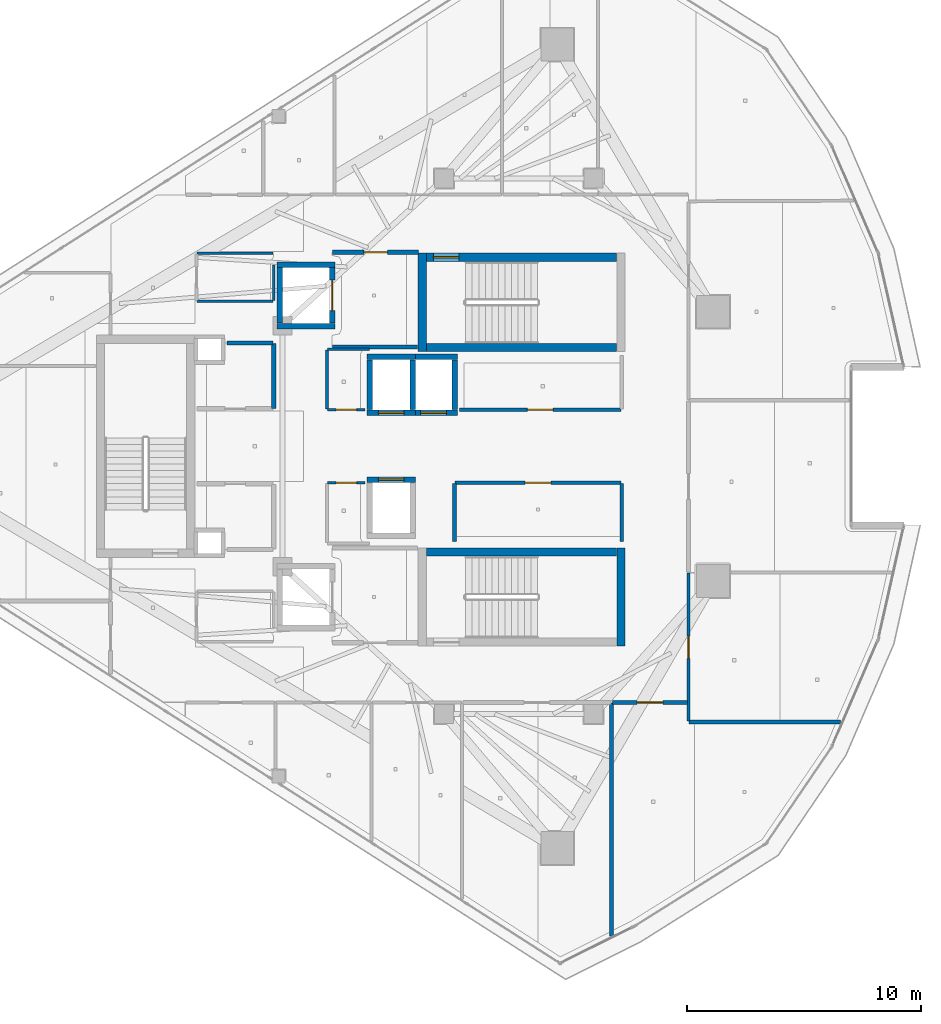
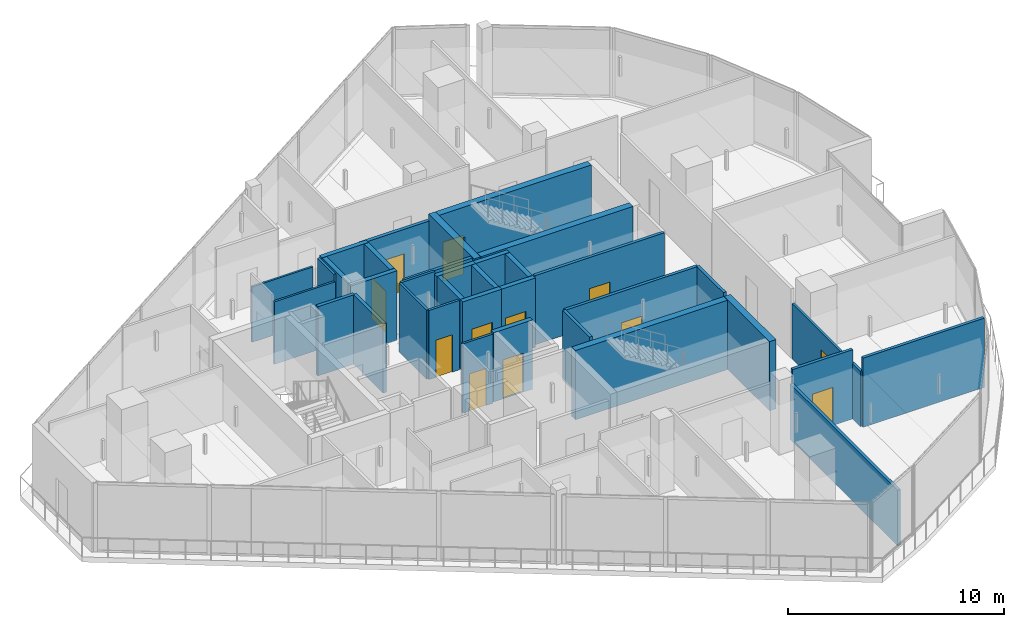
# One storey, part 17 of 25: 36 walls, 12 doors, 12 openings.
"""IFC4 building model written with IfcOpenShell, lengths in metres."""

from ifc_helpers import new_model, si_unit, direction, frame, frame_2d, origin, place, context, subcontext, project, spatial, rectangle, extrude, material, layer, layer_set, type_object, element, fill, save


model = new_model("IFC4")

# Units and contexts
model_context = context("Model", 3, precision=1e-05, world=origin(), true_north=direction((0.0, 1.0)))
body_context = subcontext(model_context, "Body", "Model", "MODEL_VIEW")
ifc_project = project(units=[si_unit("LENGTHUNIT", "METRE"), si_unit("AREAUNIT", "SQUARE_METRE"), si_unit("VOLUMEUNIT", "CUBIC_METRE"), si_unit("PLANEANGLEUNIT", "RADIAN"), si_unit("MASSUNIT", "GRAM", prefix="KILO")], contexts=[model_context])

# Site, building, storey
site_placement = place(None, origin())
site = spatial("IfcSite", under=ifc_project, at=site_placement, CompositionType="ELEMENT")
building_placement = place(site_placement, origin())
building = spatial("IfcBuilding", under=site, at=building_placement, Name="Qorvath Tower", CompositionType="ELEMENT")
storey_placement = place(building_placement, frame((0.0, 0.0, 306.0)))
storey = spatial("IfcBuildingStorey", under=building, at=storey_placement, Name="L71", CompositionType="ELEMENT", Elevation=306.0)

# Wall
ifc_material_1 = material(Name="Gypsum shaftliner on steel studs", Category="steel")
ifc_layer_1 = layer(ifc_material_1, 0.179931640625)
ifc_layer_set_1 = layer_set([ifc_layer_1], Name="FW-LOBBY")
wall_type_1 = type_object("IfcWallType", Name="FW-LOBBY", PredefinedType="PARTITIONING", material=ifc_layer_set_1)
wall_1_placement = place(storey_placement, frame((-28.35498046875, 4.25, 0.0), z_axis=(0.0, 0.0, 1.0), x_axis=(1.0, 0.0, 0.0)))
element("IfcWall", 1, at=wall_1_placement, inside=storey, type_object=wall_type_1, Name="Interior Partition IW-T1-L71-001", PredefinedType="PARTITIONING", context=body_context, shape_type="SweptSolid", body=[
    extrude(rectangle(XDim=3.6220703125, YDim=0.179931640625, at=frame_2d((1.81103515625, 0.0))), origin(), (0.0, 0.0, 1.0), 3.909912109375),
])

# Wall, opening, door
wall_2_placement = place(storey_placement, frame((-24.68408203125, 8.300048828125, 0.0), z_axis=(0.0, 0.0, 1.0), x_axis=(-1.0, 0.0, 0.0)))
wall_2 = element("IfcWall", 2, at=wall_2_placement, inside=storey, type_object=wall_type_1, Name="Interior Partition IW-T1-L71-002", PredefinedType="PARTITIONING", context=body_context, shape_type="SweptSolid", body=[
    extrude(rectangle(XDim=3.6708984375, YDim=0.179931640625, at=frame_2d((1.83544921875, 0.0))), origin(), (0.0, 0.0, 1.0), 3.52880859375),
])
opening_1_placement = place(wall_2_placement, frame((1.33544921875, 0.0, 0.0)))
opening_1 = element("IfcOpeningElement", 3, at=opening_1_placement, cuts=wall_2, Name="Opening D-T1-L71-22", PredefinedType="OPENING", context=body_context, shape_type="SweptSolid", body=[
    extrude(rectangle(XDim=1.0, YDim=2.14990234375, at=frame_2d((0.5, 1.074951171875))), frame((0.0, 0.10009765625, 0.0), z_axis=(0.0, -1.0, 0.0), x_axis=(1.0, 0.0, 0.0)), (0.0, 0.0, 1.0), 0.199951171875),
])
ifc_material_2 = material(Name="Painted galvanised hollow metal", Category="steel")
door_type_1 = type_object("IfcDoorType", Name="FD-60", OperationType="NOTDEFINED", PredefinedType="DOOR", material=ifc_material_2)
door_1_placement = place(opening_1_placement, origin())
door_1 = element("IfcDoor", 4, at=door_1_placement, inside=storey, type_object=door_type_1, Name="Lobby Fire Service Elevator North Door D-T1-L71-22", OperationType="SINGLE_SWING_LEFT", OverallHeight=2.14990234375, OverallWidth=1.0, PredefinedType="DOOR", context=body_context, shape_type="SweptSolid", body=[
    extrude(rectangle(XDim=1.0, YDim=2.14990234375, at=frame_2d((0.5, 1.074951171875))), frame((0.0, 0.02490234375, 0.0), z_axis=(0.0, -1.0, 0.0), x_axis=(1.0, 0.0, 0.0)), (0.0, 0.0, 1.0), 0.050048828125),
])
fill(opening_1, door_1)

# Walls
wall_3_placement = place(storey_placement, frame((-30.8798828125, 1.625, 0.0), z_axis=(0.0, 0.0, 1.0), x_axis=(0.0, 1.0, 0.0)))
element("IfcWall", 5, at=wall_3_placement, inside=storey, type_object=wall_type_1, Name="Interior Partition IW-T1-L71-025", PredefinedType="PARTITIONING", context=body_context, shape_type="SweptSolid", body=[
    extrude(rectangle(XDim=2.77001953125, YDim=0.179931640625, at=frame_2d((1.385009765625, 0.0))), origin(), (0.0, 0.0, 1.0), 3.909912109375),
])
wall_4_placement = place(storey_placement, frame((-30.90478515625, 4.419921875, 0.0), z_axis=(0.0, 0.0, 1.0), x_axis=(-1.0, 0.0, 0.0)))
element("IfcWall", 6, at=wall_4_placement, inside=storey, type_object=wall_type_1, Name="Interior Partition IW-T1-L71-026", PredefinedType="PARTITIONING", context=body_context, shape_type="SweptSolid", body=[
    extrude(rectangle(XDim=1.97509765625, YDim=0.179931640625, at=frame_2d((0.987548828125, 0.0))), origin(), (0.0, 0.0, 1.0), 3.909912109375),
])

# Wall, opening, door
ifc_material_3 = material(Name="Double acoustic gypsum board on steel studs", Category="steel")
ifc_layer_2 = layer(ifc_material_3, 0.159912109375)
ifc_layer_set_2 = layer_set([ifc_layer_2], Name="IW-ACOUSTIC-160")
wall_type_2 = type_object("IfcWallType", Name="IW-ACOUSTIC-160", PredefinedType="PARTITIONING", material=ifc_layer_set_2)
wall_5_placement = place(storey_placement, frame((-22.933837890625, 1.56005859375, 0.0), z_axis=(0.0, 0.0, 1.0), x_axis=(1.0, 0.0, 0.0)))
wall_5 = element("IfcWall", 7, at=wall_5_placement, inside=storey, type_object=wall_type_2, Name="Interior Partition IW-T1-L71-013", PredefinedType="PARTITIONING", context=body_context, shape_type="SweptSolid", body=[
    extrude(rectangle(XDim=6.908935546875, YDim=0.159912109375, at=frame_2d((3.45458984375, 0.0))), origin(), (0.0, 0.0, 1.0), 3.909912109375),
])
opening_2_placement = place(wall_5_placement, frame((2.904541015625, 0.0, 0.0)))
opening_2 = element("IfcOpeningElement", 8, at=opening_2_placement, cuts=wall_5, Name="Opening D-T1-L71-03", PredefinedType="OPENING", context=body_context, shape_type="SweptSolid", body=[
    extrude(rectangle(XDim=1.10009765625, YDim=2.14990234375, at=frame_2d((0.550048828125, 1.074951171875))), frame((0.0, 0.08984375, 0.0), z_axis=(0.0, -1.0, 0.0), x_axis=(1.0, 0.0, 0.0)), (0.0, 0.0, 1.0), 0.179931640625),
])
ifc_material_4 = material(Name="Anodised aluminium acoustic framed glass", Category="aluminium")
door_type_2 = type_object("IfcDoorType", Name="D-03", OperationType="NOTDEFINED", PredefinedType="DOOR", material=ifc_material_4)
door_2_placement = place(opening_2_placement, origin())
door_2 = element("IfcDoor", 9, at=door_2_placement, inside=storey, type_object=door_type_2, Name="L71-RCN North Executive Support Office Door D-T1-L71-03", OperationType="SINGLE_SWING_RIGHT", OverallHeight=2.14990234375, OverallWidth=1.10009765625, PredefinedType="DOOR", context=body_context, shape_type="SweptSolid", body=[
    extrude(rectangle(XDim=1.10009765625, YDim=2.14990234375, at=frame_2d((0.550048828125, 1.074951171875))), frame((0.0, 0.02490234375, 0.0), z_axis=(0.0, -1.0, 0.0), x_axis=(1.0, 0.0, 0.0)), (0.0, 0.0, 1.0), 0.050048828125),
])
fill(opening_2, door_2)

# Walls
for number, where, z_axis, x_axis, name in (
    (10, (-23.14990234375, -1.585205078125, 0.0), (0.0, 0.0, 1.0), (0.0, -1.0, 0.0), "Interior Partition IW-T1-L71-015"),
    (11, (-16.0, -4.0751953125, 0.0), (0.0, 0.0, 1.0), (0.0, 1.0, 0.0), "Interior Partition IW-T1-L71-016"),
):
    element("IfcWall", number, at=place(storey_placement, frame(where, z_axis=z_axis, x_axis=x_axis)), inside=storey, type_object=wall_type_2, Name=name, PredefinedType="PARTITIONING", context=body_context, shape_type="SweptSolid", body=[
        extrude(rectangle(XDim=2.489990234375, YDim=0.159912109375, at=frame_2d((1.2451171875, 0.0))), origin(), (0.0, 0.0, 1.0), 3.909912109375),
    ])

# Wall, opening, door
wall_6_placement = place(storey_placement, frame((-16.02490234375, -1.56005859375, 0.0), z_axis=(0.0, 0.0, 1.0), x_axis=(-1.0, 0.0, 0.0)))
wall_6 = element("IfcWall", 12, at=wall_6_placement, inside=storey, type_object=wall_type_2, Name="Interior Partition IW-T1-L71-017", PredefinedType="PARTITIONING", context=body_context, shape_type="SweptSolid", body=[
    extrude(rectangle(XDim=7.10009765625, YDim=0.159912109375, at=frame_2d((3.550048828125, 0.0))), origin(), (0.0, 0.0, 1.0), 3.909912109375),
])
opening_3_placement = place(wall_6_placement, frame((3.0, 0.0, 0.0)))
opening_3 = element("IfcOpeningElement", 13, at=opening_3_placement, cuts=wall_6, Name="Opening D-T1-L71-04", PredefinedType="OPENING", context=body_context, shape_type="SweptSolid", body=[
    extrude(rectangle(XDim=1.10009765625, YDim=2.14990234375, at=frame_2d((0.550048828125, 1.074951171875))), frame((0.0, 0.08984375, 0.0), z_axis=(0.0, -1.0, 0.0), x_axis=(1.0, 0.0, 0.0)), (0.0, 0.0, 1.0), 0.179931640625),
])
door_3_placement = place(opening_3_placement, origin())
door_3 = element("IfcDoor", 14, at=door_3_placement, inside=storey, type_object=door_type_2, Name="L71-RCS South Executive Support Office Door D-T1-L71-04", OperationType="SINGLE_SWING_LEFT", OverallHeight=2.14990234375, OverallWidth=1.10009765625, PredefinedType="DOOR", context=body_context, shape_type="SweptSolid", body=[
    extrude(rectangle(XDim=1.10009765625, YDim=2.14990234375, at=frame_2d((0.550048828125, 1.074951171875))), frame((0.0, 0.02490234375, 0.0), z_axis=(0.0, -1.0, 0.0), x_axis=(1.0, 0.0, 0.0)), (0.0, 0.0, 1.0), 0.050048828125),
])
fill(opening_3, door_3)

# Walls
wall_7_placement = place(storey_placement, frame((-16.43408203125, -20.9326171875, 0.0), z_axis=(0.0, 0.0, 1.0), x_axis=(2.4537469e-05, 0.999999999699, 0.0)))
element("IfcWall", 15, at=wall_7_placement, inside=storey, type_object=wall_type_2, Name="Interior Partition IW-T1-L71-047", PredefinedType="PARTITIONING", context=body_context, shape_type="SweptSolid", body=[
    extrude(rectangle(XDim=9.94970703125, YDim=0.159912109375, at=frame_2d((4.974853515625, 0.0))), origin(), (0.0, 0.0, 1.0), 3.1298828125),
])
wall_8_placement = place(storey_placement, frame((-6.6376953125, -11.79443359375, 0.0), z_axis=(0.0, 0.0, 1.0), x_axis=(-0.99999955741, 0.000940839566, 0.0)))
element("IfcWall", 16, at=wall_8_placement, inside=storey, type_object=wall_type_2, Name="Interior Partition IW-T1-L71-048", PredefinedType="PARTITIONING", context=body_context, shape_type="SweptSolid", body=[
    extrude(rectangle(XDim=6.4873046875, YDim=0.159912109375, at=frame_2d((3.24365234375, 0.0))), origin(), (0.0, 0.0, 1.0), 3.909912109375),
])

# Wall, opening, door
wall_9_placement = place(storey_placement, frame((-13.1748046875, -10.9580078125, 0.0), z_axis=(0.0, 0.0, 1.0), x_axis=(-1.0, 0.0, 0.0)))
wall_9 = element("IfcWall", 17, at=wall_9_placement, inside=storey, type_object=wall_type_2, Name="Interior Partition IW-T1-L71-049", PredefinedType="PARTITIONING", context=body_context, shape_type="SweptSolid", body=[
    extrude(rectangle(XDim=3.22607421875, YDim=0.159912109375, at=frame_2d((1.613037109375, 0.0))), origin(), (0.0, 0.0, 1.0), 3.909912109375),
])
opening_4_placement = place(wall_9_placement, frame((1.06298828125, 0.0, 0.0)))
opening_4 = element("IfcOpeningElement", 18, at=opening_4_placement, cuts=wall_9, Name="Opening D-T1-L71-15", PredefinedType="OPENING", context=body_context, shape_type="SweptSolid", body=[
    extrude(rectangle(XDim=1.10009765625, YDim=2.14990234375, at=frame_2d((0.550048828125, 1.074951171875))), frame((0.0, 0.08984375, 0.0), z_axis=(0.0, -1.0, 0.0), x_axis=(1.0, 0.0, 0.0)), (0.0, 0.0, 1.0), 0.179931640625),
])
door_4_placement = place(opening_4_placement, origin())
door_4 = element("IfcDoor", 19, at=door_4_placement, inside=storey, type_object=door_type_2, Name="L71-10 Team Project Office Door D-T1-L71-15", OperationType="SINGLE_SWING_RIGHT", OverallHeight=2.14990234375, OverallWidth=1.10009765625, PredefinedType="DOOR", context=body_context, shape_type="SweptSolid", body=[
    extrude(rectangle(XDim=1.10009765625, YDim=2.14990234375, at=frame_2d((0.550048828125, 1.074951171875))), frame((0.0, 0.02490234375, 0.0), z_axis=(0.0, -1.0, 0.0), x_axis=(1.0, 0.0, 0.0)), (0.0, 0.0, 1.0), 0.050048828125),
])
fill(opening_4, door_4)

# Wall
ifc_material_5 = material(Name="Gypsum board on metal studs with mineral wool", Category="gypsum")
ifc_layer_3 = layer(ifc_material_5, 0.125)
ifc_layer_set_3 = layer_set([ifc_layer_3], Name="IW-PART-125")
wall_type_3 = type_object("IfcWallType", Name="IW-PART-125", PredefinedType="PARTITIONING", material=ifc_layer_set_3)
wall_10_placement = place(storey_placement, frame((-28.60009765625, 4.125, 0.0), z_axis=(0.0, 0.0, 1.0), x_axis=(0.0, -1.0, 0.0)))
element("IfcWall", 20, at=wall_10_placement, inside=storey, type_object=wall_type_3, Name="Interior Partition IW-T1-L71-018", PredefinedType="PARTITIONING", context=body_context, shape_type="SweptSolid", body=[
    extrude(rectangle(XDim=2.539794921875, YDim=0.125, at=frame_2d((1.27001953125, 0.0))), origin(), (0.0, 0.0, 1.0), 3.909912109375),
])

# Wall, opening, door
wall_11_placement = place(storey_placement, frame((-28.5751953125, 1.56005859375, 0.0), z_axis=(0.0, 0.0, 1.0), x_axis=(1.0, 0.0, 0.0)))
wall_11 = element("IfcWall", 21, at=wall_11_placement, inside=storey, type_object=wall_type_3, Name="Interior Partition IW-T1-L71-019", PredefinedType="PARTITIONING", context=body_context, shape_type="SweptSolid", body=[
    extrude(rectangle(XDim=1.609130859375, YDim=0.125, at=frame_2d((0.8046875, 0.0))), origin(), (0.0, 0.0, 1.0), 3.909912109375),
])
opening_5_placement = place(wall_11_placement, frame((0.364501953125, 0.0, 0.0)))
opening_5 = element("IfcOpeningElement", 22, at=opening_5_placement, cuts=wall_11, Name="Opening D-T1-L71-05", PredefinedType="OPENING", context=body_context, shape_type="SweptSolid", body=[
    extrude(rectangle(XDim=0.8798828125, YDim=2.10009765625, at=frame_2d((0.43994140625, 1.050048828125))), frame((0.0, 0.072509765625, 0.0), z_axis=(0.0, -1.0, 0.0), x_axis=(1.0, 0.0, 0.0)), (0.0, 0.0, 1.0), 0.14501953125),
])
ifc_material_6 = material(Name="Solid-core oak with acoustic drop seal", Category="wood")
door_type_3 = type_object("IfcDoorType", Name="D-02", OperationType="NOTDEFINED", PredefinedType="DOOR", material=ifc_material_6)
door_5_placement = place(opening_5_placement, origin())
door_5 = element("IfcDoor", 23, at=door_5_placement, inside=storey, type_object=door_type_3, Name="L71-RCWN Executive Archive Suite Door D-T1-L71-05", OperationType="SINGLE_SWING_RIGHT", OverallHeight=2.10009765625, OverallWidth=0.8798828125, PredefinedType="DOOR", context=body_context, shape_type="SweptSolid", body=[
    extrude(rectangle(XDim=0.8798828125, YDim=2.10009765625, at=frame_2d((0.43994140625, 1.050048828125))), frame((0.0, 0.02490234375, 0.0), z_axis=(0.0, -1.0, 0.0), x_axis=(1.0, 0.0, 0.0)), (0.0, 0.0, 1.0), 0.050048828125),
])
fill(opening_5, door_5)

# Wall
wall_12_placement = place(storey_placement, frame((-26.77490234375, 4.14990234375, 0.0), z_axis=(0.0, 0.0, 1.0), x_axis=(-1.0, 0.0, 0.0)))
element("IfcWall", 24, at=wall_12_placement, inside=storey, type_object=wall_type_3, Name="Interior Partition IW-T1-L71-020", PredefinedType="PARTITIONING", context=body_context, shape_type="SweptSolid", body=[
    extrude(rectangle(XDim=1.80029296875, YDim=0.125, at=frame_2d((0.900146484375, 0.0))), origin(), (0.0, 0.0, 1.0), 3.909912109375),
])

# Wall, opening, door
wall_13_placement = place(storey_placement, frame((-26.966064453125, -1.56005859375, 0.0), z_axis=(0.0, 0.0, 1.0), x_axis=(-1.0, 0.0, 0.0)))
wall_13 = element("IfcWall", 25, at=wall_13_placement, inside=storey, type_object=wall_type_3, Name="Interior Partition IW-T1-L71-023", PredefinedType="PARTITIONING", context=body_context, shape_type="SweptSolid", body=[
    extrude(rectangle(XDim=1.609130859375, YDim=0.125, at=frame_2d((0.8046875, 0.0))), origin(), (0.0, 0.0, 1.0), 3.909912109375),
])
opening_6_placement = place(wall_13_placement, frame((0.364501953125, 0.0, 0.0)))
opening_6 = element("IfcOpeningElement", 26, at=opening_6_placement, cuts=wall_13, Name="Opening D-T1-L71-06", PredefinedType="OPENING", context=body_context, shape_type="SweptSolid", body=[
    extrude(rectangle(XDim=0.8798828125, YDim=2.10009765625, at=frame_2d((0.43994140625, 1.050048828125))), frame((0.0, 0.072509765625, 0.0), z_axis=(0.0, -1.0, 0.0), x_axis=(1.0, 0.0, 0.0)), (0.0, 0.0, 1.0), 0.14501953125),
])
door_6_placement = place(opening_6_placement, origin())
door_6 = element("IfcDoor", 27, at=door_6_placement, inside=storey, type_object=door_type_3, Name="L71-RCWS Executive Archive Suite Door D-T1-L71-06", OperationType="SINGLE_SWING_LEFT", OverallHeight=2.10009765625, OverallWidth=0.8798828125, PredefinedType="DOOR", context=body_context, shape_type="SweptSolid", body=[
    extrude(rectangle(XDim=0.8798828125, YDim=2.10009765625, at=frame_2d((0.43994140625, 1.050048828125))), frame((0.0, 0.02490234375, 0.0), z_axis=(0.0, -1.0, 0.0), x_axis=(1.0, 0.0, 0.0)), (0.0, 0.0, 1.0), 0.050048828125),
])
fill(opening_6, door_6)

wall_14_placement = place(storey_placement, frame((-13.14208984375, -5.4287109375, 0.0), z_axis=(0.0, 0.0, 1.0), x_axis=(0.0, -1.0, 0.0)))
wall_14 = element("IfcWall", 28, at=wall_14_placement, inside=storey, type_object=wall_type_3, Name="Interior Partition IW-T1-L71-051", PredefinedType="PARTITIONING", context=body_context, shape_type="SweptSolid", body=[
    extrude(rectangle(XDim=6.32666015625, YDim=0.125, at=frame_2d((3.163330078125, 0.0))), origin(), (0.0, 0.0, 1.0), 3.1298828125),
])
opening_7_placement = place(wall_14_placement, frame((2.688232421875, 0.0, 0.0)))
opening_7 = element("IfcOpeningElement", 29, at=opening_7_placement, cuts=wall_14, Name="Opening D-T1-L71-16", PredefinedType="OPENING", context=body_context, shape_type="SweptSolid", body=[
    extrude(rectangle(XDim=0.949951171875, YDim=2.14990234375, at=frame_2d((0.47509765625, 1.074951171875))), frame((0.0, 0.072509765625, 0.0), z_axis=(0.0, -1.0, 0.0), x_axis=(1.0, 0.0, 0.0)), (0.0, 0.0, 1.0), 0.14501953125),
])
ifc_material_7 = material(Name="Solid-core American white oak veneer", Category="wood")
door_type_4 = type_object("IfcDoorType", Name="D-01", OperationType="NOTDEFINED", PredefinedType="DOOR", material=ifc_material_7)
door_7_placement = place(opening_7_placement, origin())
door_7 = element("IfcDoor", 30, at=door_7_placement, inside=storey, type_object=door_type_4, Name="L71-11 Open Workplace Studio Door D-T1-L71-16", OperationType="SINGLE_SWING_LEFT", OverallHeight=2.14990234375, OverallWidth=0.949951171875, PredefinedType="DOOR", context=body_context, shape_type="SweptSolid", body=[
    extrude(rectangle(XDim=0.949951171875, YDim=2.14990234375, at=frame_2d((0.47509765625, 1.074951171875))), frame((0.0, 0.02490234375, 0.0), z_axis=(0.0, -1.0, 0.0), x_axis=(1.0, 0.0, 0.0)), (0.0, 0.0, 1.0), 0.050048828125),
])
fill(opening_7, door_7)

# Walls
ifc_material_8 = material(Name="Moisture-resistant cement board on metal studs", Category="gypsum")
ifc_layer_4 = layer(ifc_material_8, 0.110107421875)
ifc_layer_set_4 = layer_set([ifc_layer_4], Name="IW-WC-110")
wall_type_4 = type_object("IfcWallType", Name="IW-WC-110", PredefinedType="PARTITIONING", material=ifc_layer_set_4)
wall_15_placement = place(storey_placement, frame((-34.15478515625, 6.199951171875, 0.0), z_axis=(0.0, 0.0, 1.0), x_axis=(1.0, 0.0, 0.0)))
element("IfcWall", 31, at=wall_15_placement, inside=storey, type_object=wall_type_4, Name="Interior Partition IW-T1-L71-006", PredefinedType="PARTITIONING", context=body_context, shape_type="SweptSolid", body=[
    extrude(rectangle(XDim=3.25, YDim=0.110107421875, at=frame_2d((1.625, 0.0))), origin(), (0.0, 0.0, 1.0), 3.52880859375),
])
wall_16_placement = place(storey_placement, frame((-30.8798828125, 6.22509765625, 0.0), z_axis=(0.0, 0.0, 1.0), x_axis=(0.0, 1.0, 0.0)))
element("IfcWall", 32, at=wall_16_placement, inside=storey, type_object=wall_type_4, Name="Interior Partition IW-T1-L71-007", PredefinedType="PARTITIONING", context=body_context, shape_type="SweptSolid", body=[
    extrude(rectangle(XDim=1.517822265625, YDim=0.110107421875, at=frame_2d((0.7587890625, 0.0))), origin(), (0.0, 0.0, 1.0), 3.909912109375),
])
wall_17_placement = place(storey_placement, frame((-30.90478515625, 8.25, 0.0), z_axis=(0.0, 0.0, 1.0), x_axis=(-1.0, 0.0, 0.0)))
element("IfcWall", 33, at=wall_17_placement, inside=storey, type_object=wall_type_4, Name="Interior Partition IW-T1-L71-008", PredefinedType="PARTITIONING", context=body_context, shape_type="SweptSolid", body=[
    extrude(rectangle(XDim=3.25, YDim=0.110107421875, at=frame_2d((1.625, 0.0))), origin(), (0.0, 0.0, 1.0), 3.1298828125),
])
ifc_material_9 = material(Name="Concrete C60/75", Category="concrete")
ifc_layer_5 = layer(ifc_material_9, 0.260009765625)
ifc_layer_set_5 = layer_set([ifc_layer_5], Name="SW-SHAFT")
wall_type_5 = type_object("IfcWallType", Name="SW-SHAFT", PredefinedType="SHEAR", material=ifc_layer_set_5)
for number, where, z_axis, x_axis, name in (
    (34, (-28.260009765625, 5.1298828125, 0.0), (0.0, 0.0, 1.0), (-1.0, 0.0, 0.0), "Hoistway Wall FSAE-1 L71 S"),
    (35, (-30.739990234375, 7.77001953125, 0.0), (0.0, 0.0, 1.0), (1.0, 0.0, 0.0), "Hoistway Wall FSAE-1 L71 N"),
):
    element("IfcWall", number, at=place(storey_placement, frame(where, z_axis=z_axis, x_axis=x_axis)), inside=storey, type_object=wall_type_5, Name=name, PredefinedType="SHEAR", context=body_context, shape_type="SweptSolid", body=[
        extrude(rectangle(XDim=2.47998046875, YDim=0.239990234375, at=frame_2d((1.239990234375, 0.0))), origin(), (0.0, 0.0, 1.0), 3.909912109375),
    ])
wall_18_placement = place(storey_placement, frame((-30.6201171875, 5.261962890625, 0.0), z_axis=(0.0, 0.0, 1.0), x_axis=(0.0, 1.0, 0.0)))
element("IfcWall", 36, at=wall_18_placement, inside=storey, type_object=wall_type_5, Name="Hoistway Wall FSAE-1 L71 W", PredefinedType="SHEAR", context=body_context, shape_type="SweptSolid", body=[
    extrude(rectangle(XDim=2.3759765625, YDim=0.239990234375, at=frame_2d((1.18798828125, 0.0))), origin(), (0.0, 0.0, 1.0), 3.909912109375),
])

# Wall, opening, door
wall_19_placement = place(storey_placement, frame((-28.3798828125, 7.637939453125, 0.0), z_axis=(0.0, 0.0, 1.0), x_axis=(0.0, -1.0, 0.0)))
wall_19 = element("IfcWall", 37, at=wall_19_placement, inside=storey, type_object=wall_type_5, Name="Hoistway Wall FSAE-1 L71 E", PredefinedType="SHEAR", context=body_context, shape_type="SweptSolid", body=[
    extrude(rectangle(XDim=2.3759765625, YDim=0.239990234375, at=frame_2d((1.18798828125, 0.0))), origin(), (0.0, 0.0, 1.0), 3.909912109375),
])
opening_8_placement = place(wall_19_placement, frame((0.537841796875, 0.0, 0.0)))
opening_8 = element("IfcOpeningElement", 38, at=opening_8_placement, cuts=wall_19, Name="Opening LD-FSAE-1-L71", PredefinedType="OPENING", context=body_context, shape_type="SweptSolid", body=[
    extrude(rectangle(XDim=1.300048828125, YDim=2.300048828125, at=frame_2d((0.64990234375, 1.14990234375))), frame((0.0, 0.1298828125, 0.0), z_axis=(0.0, -1.0, 0.0), x_axis=(1.0, 0.0, 0.0)), (0.0, 0.0, 1.0), 0.260009765625),
])
ifc_material_10 = material(Name="Brushed stainless steel AISI 316", Category="steel")
door_type_5 = type_object("IfcDoorType", Name="LD-02", OperationType="NOTDEFINED", PredefinedType="DOOR", material=ifc_material_10)
door_8_placement = place(opening_8_placement, origin())
door_8 = element("IfcDoor", 39, at=door_8_placement, inside=storey, type_object=door_type_5, Name="Elevator Landing Sliding Door LD-FSAE-1-L71", OperationType="DOUBLE_DOOR_SLIDING", OverallHeight=2.300048828125, OverallWidth=1.300048828125, PredefinedType="DOOR", context=body_context, shape_type="SweptSolid", body=[
    extrude(rectangle(XDim=1.300048828125, YDim=2.300048828125, at=frame_2d((0.64990234375, 1.14990234375))), frame((0.0, 0.02490234375, 0.0), z_axis=(0.0, -1.0, 0.0), x_axis=(1.0, 0.0, 0.0)), (0.0, 0.0, 1.0), 0.050048828125),
])
fill(opening_8, door_8)

wall_20_placement = place(storey_placement, frame((-24.81005859375, 1.429931640625, 0.0), z_axis=(0.0, 0.0, 1.0), x_axis=(-1.0, 0.0, 0.0)))
wall_20 = element("IfcWall", 40, at=wall_20_placement, inside=storey, type_object=wall_type_5, Name="Hoistway Wall PH-1 L71 S", PredefinedType="SHEAR", context=body_context, shape_type="SweptSolid", body=[
    extrude(rectangle(XDim=2.079833984375, YDim=0.239990234375, at=frame_2d((1.0400390625, 0.0))), origin(), (0.0, 0.0, 1.0), 3.909912109375),
])
opening_9_placement = place(wall_20_placement, frame((0.489990234375, 0.0, 0.0)))
opening_9 = element("IfcOpeningElement", 41, at=opening_9_placement, cuts=wall_20, Name="Opening LD-PH-1-L71", PredefinedType="OPENING", context=body_context, shape_type="SweptSolid", body=[
    extrude(rectangle(XDim=1.10009765625, YDim=2.199951171875, at=frame_2d((0.550048828125, 1.10009765625))), frame((0.0, 0.1298828125, 0.0), z_axis=(0.0, -1.0, 0.0), x_axis=(1.0, 0.0, 0.0)), (0.0, 0.0, 1.0), 0.260009765625),
])
ifc_material_11 = material(Name="Brushed stainless steel AISI 316", Category="steel")
door_type_6 = type_object("IfcDoorType", Name="LD-01", OperationType="NOTDEFINED", PredefinedType="DOOR", material=ifc_material_11)
door_9_placement = place(opening_9_placement, origin())
door_9 = element("IfcDoor", 42, at=door_9_placement, inside=storey, type_object=door_type_6, Name="Elevator Landing Sliding Door LD-PH-1-L71", OperationType="DOUBLE_DOOR_SLIDING", OverallHeight=2.199951171875, OverallWidth=1.10009765625, PredefinedType="DOOR", context=body_context, shape_type="SweptSolid", body=[
    extrude(rectangle(XDim=1.10009765625, YDim=2.199951171875, at=frame_2d((0.550048828125, 1.10009765625))), frame((0.0, 0.02490234375, 0.0), z_axis=(0.0, -1.0, 0.0), x_axis=(1.0, 0.0, 0.0)), (0.0, 0.0, 1.0), 0.050048828125),
])
fill(opening_9, door_9)

# Walls
wall_21_placement = place(storey_placement, frame((-26.889892578125, 3.820068359375, 0.0), z_axis=(0.0, 0.0, 1.0), x_axis=(1.0, 0.0, 0.0)))
element("IfcWall", 43, at=wall_21_placement, inside=storey, type_object=wall_type_5, Name="Hoistway Wall PH-1 L71 N", PredefinedType="SHEAR", context=body_context, shape_type="SweptSolid", body=[
    extrude(rectangle(XDim=2.079833984375, YDim=0.239990234375, at=frame_2d((1.0400390625, 0.0))), origin(), (0.0, 0.0, 1.0), 3.909912109375),
])
for number, where, z_axis, x_axis, name in (
    (44, (-26.77001953125, 1.56201171875, 0.0), (0.0, 0.0, 1.0), (0.0, 1.0, 0.0), "Hoistway Wall PH-1 L71 W"),
    (45, (-24.929931640625, 3.68798828125, 0.0), (0.0, 0.0, 1.0), (0.0, -1.0, 0.0), "Hoistway Wall PH-1 L71 E"),
):
    element("IfcWall", number, at=place(storey_placement, frame(where, z_axis=z_axis, x_axis=x_axis)), inside=storey, type_object=wall_type_5, Name=name, PredefinedType="SHEAR", context=body_context, shape_type="SweptSolid", body=[
        extrude(rectangle(XDim=2.1259765625, YDim=0.239990234375, at=frame_2d((1.06298828125, 0.0))), origin(), (0.0, 0.0, 1.0), 3.909912109375),
    ])

# Wall, opening, door
wall_22_placement = place(storey_placement, frame((-23.010009765625, 1.429931640625, 0.0), z_axis=(0.0, 0.0, 1.0), x_axis=(-1.0, 0.0, 0.0)))
wall_22 = element("IfcWall", 46, at=wall_22_placement, inside=storey, type_object=wall_type_5, Name="Hoistway Wall PH-2 L71 S", PredefinedType="SHEAR", context=body_context, shape_type="SweptSolid", body=[
    extrude(rectangle(XDim=1.800048828125, YDim=0.239990234375, at=frame_2d((0.89990234375, 0.0))), origin(), (0.0, 0.0, 1.0), 3.909912109375),
])
opening_10_placement = place(wall_22_placement, frame((0.489990234375, 0.0, 0.0)))
opening_10 = element("IfcOpeningElement", 47, at=opening_10_placement, cuts=wall_22, Name="Opening LD-PH-2-L71", PredefinedType="OPENING", context=body_context, shape_type="SweptSolid", body=[
    extrude(rectangle(XDim=1.10009765625, YDim=2.199951171875, at=frame_2d((0.550048828125, 1.10009765625))), frame((0.0, 0.1298828125, 0.0), z_axis=(0.0, -1.0, 0.0), x_axis=(1.0, 0.0, 0.0)), (0.0, 0.0, 1.0), 0.260009765625),
])
door_10_placement = place(opening_10_placement, origin())
door_10 = element("IfcDoor", 48, at=door_10_placement, inside=storey, type_object=door_type_6, Name="Elevator Landing Sliding Door LD-PH-2-L71", OperationType="DOUBLE_DOOR_SLIDING", OverallHeight=2.199951171875, OverallWidth=1.10009765625, PredefinedType="DOOR", context=body_context, shape_type="SweptSolid", body=[
    extrude(rectangle(XDim=1.10009765625, YDim=2.199951171875, at=frame_2d((0.550048828125, 1.10009765625))), frame((0.0, 0.02490234375, 0.0), z_axis=(0.0, -1.0, 0.0), x_axis=(1.0, 0.0, 0.0)), (0.0, 0.0, 1.0), 0.050048828125),
])
fill(opening_10, door_10)

# Walls
wall_23_placement = place(storey_placement, frame((-24.81005859375, 3.820068359375, 0.0), z_axis=(0.0, 0.0, 1.0), x_axis=(1.0, 0.0, 0.0)))
element("IfcWall", 49, at=wall_23_placement, inside=storey, type_object=wall_type_5, Name="Hoistway Wall PH-2 L71 N", PredefinedType="SHEAR", context=body_context, shape_type="SweptSolid", body=[
    extrude(rectangle(XDim=1.800048828125, YDim=0.239990234375, at=frame_2d((0.89990234375, 0.0))), origin(), (0.0, 0.0, 1.0), 3.909912109375),
])
wall_24_placement = place(storey_placement, frame((-23.1298828125, 3.68798828125, 0.0), z_axis=(0.0, 0.0, 1.0), x_axis=(0.0, -1.0, 0.0)))
element("IfcWall", 50, at=wall_24_placement, inside=storey, type_object=wall_type_5, Name="Hoistway Wall PH-2 L71 E", PredefinedType="SHEAR", context=body_context, shape_type="SweptSolid", body=[
    extrude(rectangle(XDim=2.1259765625, YDim=0.239990234375, at=frame_2d((1.06298828125, 0.0))), origin(), (0.0, 0.0, 1.0), 3.909912109375),
])

# Wall, opening, door
wall_25_placement = place(storey_placement, frame((-26.889892578125, -1.429931640625, 0.0), z_axis=(0.0, 0.0, 1.0), x_axis=(1.0, 0.0, 0.0)))
wall_25 = element("IfcWall", 51, at=wall_25_placement, inside=storey, type_object=wall_type_5, Name="Hoistway Wall PH-3 L71 N", PredefinedType="SHEAR", context=body_context, shape_type="SweptSolid", body=[
    extrude(rectangle(XDim=2.079833984375, YDim=0.239990234375, at=frame_2d((1.0400390625, 0.0))), origin(), (0.0, 0.0, 1.0), 3.909912109375),
])
opening_11_placement = place(wall_25_placement, frame((0.48974609375, 0.0, 0.0)))
opening_11 = element("IfcOpeningElement", 52, at=opening_11_placement, cuts=wall_25, Name="Opening LD-PH-3-L71", PredefinedType="OPENING", context=body_context, shape_type="SweptSolid", body=[
    extrude(rectangle(XDim=1.10009765625, YDim=2.199951171875, at=frame_2d((0.550048828125, 1.10009765625))), frame((0.0, 0.1298828125, 0.0), z_axis=(0.0, -1.0, 0.0), x_axis=(1.0, 0.0, 0.0)), (0.0, 0.0, 1.0), 0.260009765625),
])
door_11_placement = place(opening_11_placement, origin())
door_11 = element("IfcDoor", 53, at=door_11_placement, inside=storey, type_object=door_type_6, Name="Elevator Landing Sliding Door LD-PH-3-L71", OperationType="DOUBLE_DOOR_SLIDING", OverallHeight=2.199951171875, OverallWidth=1.10009765625, PredefinedType="DOOR", context=body_context, shape_type="SweptSolid", body=[
    extrude(rectangle(XDim=1.10009765625, YDim=2.199951171875, at=frame_2d((0.550048828125, 1.10009765625))), frame((0.0, 0.02490234375, 0.0), z_axis=(0.0, -1.0, 0.0), x_axis=(1.0, 0.0, 0.0)), (0.0, 0.0, 1.0), 0.050048828125),
])
fill(opening_11, door_11)

# Walls
ifc_material_12 = material(Name="Concrete C60/75", Category="concrete")
ifc_layer_6 = layer(ifc_material_12, 0.35009765625)
ifc_layer_set_6 = layer_set([ifc_layer_6], Name="SW-STAIR")
wall_type_6 = type_object("IfcWallType", Name="SW-STAIR", PredefinedType="SHEAR", material=ifc_layer_set_6)
wall_26_placement = place(storey_placement, frame((-24.52490234375, 8.260009765625, 0.0), z_axis=(0.0, 0.0, 1.0), x_axis=(0.0, -1.0, 0.0)))
element("IfcWall", 54, at=wall_26_placement, inside=storey, type_object=wall_type_6, Name="Stair TS1 Shear Wall L71 NEAR", PredefinedType="SHEAR", context=body_context, shape_type="SweptSolid", body=[
    extrude(rectangle(XDim=4.2099609375, YDim=0.35009765625, at=frame_2d((2.10498046875, 0.0))), origin(), (0.0, 0.0, 1.0), 3.909912109375),
])
wall_27_placement = place(storey_placement, frame((-24.3349609375, 4.22509765625, 0.0), z_axis=(0.0, 0.0, 1.0), x_axis=(1.0, 0.0, 0.0)))
element("IfcWall", 55, at=wall_27_placement, inside=storey, type_object=wall_type_6, Name="Stair TS1 Shear Wall L71 LEFT", PredefinedType="SHEAR", context=body_context, shape_type="SweptSolid", body=[
    extrude(rectangle(XDim=8.119873046875, YDim=0.35009765625, at=frame_2d((4.06005859375, 0.0))), origin(), (0.0, 0.0, 1.0), 3.909912109375),
])

# Wall, opening, door
wall_28_placement = place(storey_placement, frame((-16.215087890625, 8.0849609375, 0.0), z_axis=(0.0, 0.0, 1.0), x_axis=(-1.0, 0.0, 0.0)))
wall_28 = element("IfcWall", 56, at=wall_28_placement, inside=storey, type_object=wall_type_6, Name="Stair TS1 Shear Wall L71 RIGHT", PredefinedType="SHEAR", context=body_context, shape_type="SweptSolid", body=[
    extrude(rectangle(XDim=8.119873046875, YDim=0.35009765625, at=frame_2d((4.06005859375, 0.0))), origin(), (0.0, 0.0, 1.0), 3.909912109375),
])
opening_12_placement = place(wall_28_placement, frame((6.739990234375, 0.0, 0.0)))
opening_12 = element("IfcOpeningElement", 57, at=opening_12_placement, cuts=wall_28, Name="Opening D-TS1-L71", PredefinedType="OPENING", context=body_context, shape_type="SweptSolid", body=[
    extrude(rectangle(XDim=1.10009765625, YDim=2.199951171875, at=frame_2d((0.550048828125, 1.10009765625))), frame((0.0, 0.18505859375, 0.0), z_axis=(0.0, -1.0, 0.0), x_axis=(1.0, 0.0, 0.0)), (0.0, 0.0, 1.0), 0.3701171875),
])
ifc_material_13 = material(Name="Painted galvanised hollow metal", Category="steel")
door_type_7 = type_object("IfcDoorType", Name="FD-90", OperationType="NOTDEFINED", PredefinedType="DOOR", material=ifc_material_13)
door_12_placement = place(opening_12_placement, origin())
door_12 = element("IfcDoor", 58, at=door_12_placement, inside=storey, type_object=door_type_7, Name="Stair TS1 Fire Door L71", OperationType="SINGLE_SWING_RIGHT", OverallHeight=2.199951171875, OverallWidth=1.10009765625, PredefinedType="DOOR", context=body_context, shape_type="SweptSolid", body=[
    extrude(rectangle(XDim=1.10009765625, YDim=2.199951171875, at=frame_2d((0.550048828125, 1.10009765625))), frame((0.0, 0.02490234375, 0.0), z_axis=(0.0, -1.0, 0.0), x_axis=(1.0, 0.0, 0.0)), (0.0, 0.0, 1.0), 0.050048828125),
])
fill(opening_12, door_12)

# Walls
wall_29_placement = place(storey_placement, frame((-16.02490234375, -8.550048828125, 0.0), z_axis=(0.0, 0.0, 1.0), x_axis=(0.0, 1.0, 0.0)))
element("IfcWall", 59, at=wall_29_placement, inside=storey, type_object=wall_type_6, Name="Stair TS2 Shear Wall L71 FAR", PredefinedType="SHEAR", context=body_context, shape_type="SweptSolid", body=[
    extrude(rectangle(XDim=4.2099609375, YDim=0.35009765625, at=frame_2d((2.10498046875, 0.0))), origin(), (0.0, 0.0, 1.0), 3.909912109375),
])
wall_30_placement = place(storey_placement, frame((-16.215087890625, -4.514892578125, 0.0), z_axis=(0.0, 0.0, 1.0), x_axis=(-1.0, 0.0, 0.0)))
element("IfcWall", 60, at=wall_30_placement, inside=storey, type_object=wall_type_6, Name="Stair TS2 Shear Wall L71 RIGHT", PredefinedType="SHEAR", context=body_context, shape_type="SweptSolid", body=[
    extrude(rectangle(XDim=8.119873046875, YDim=0.35009765625, at=frame_2d((4.06005859375, 0.0))), origin(), (0.0, 0.0, 1.0), 3.909912109375),
])

save(model, "model.ifc")
